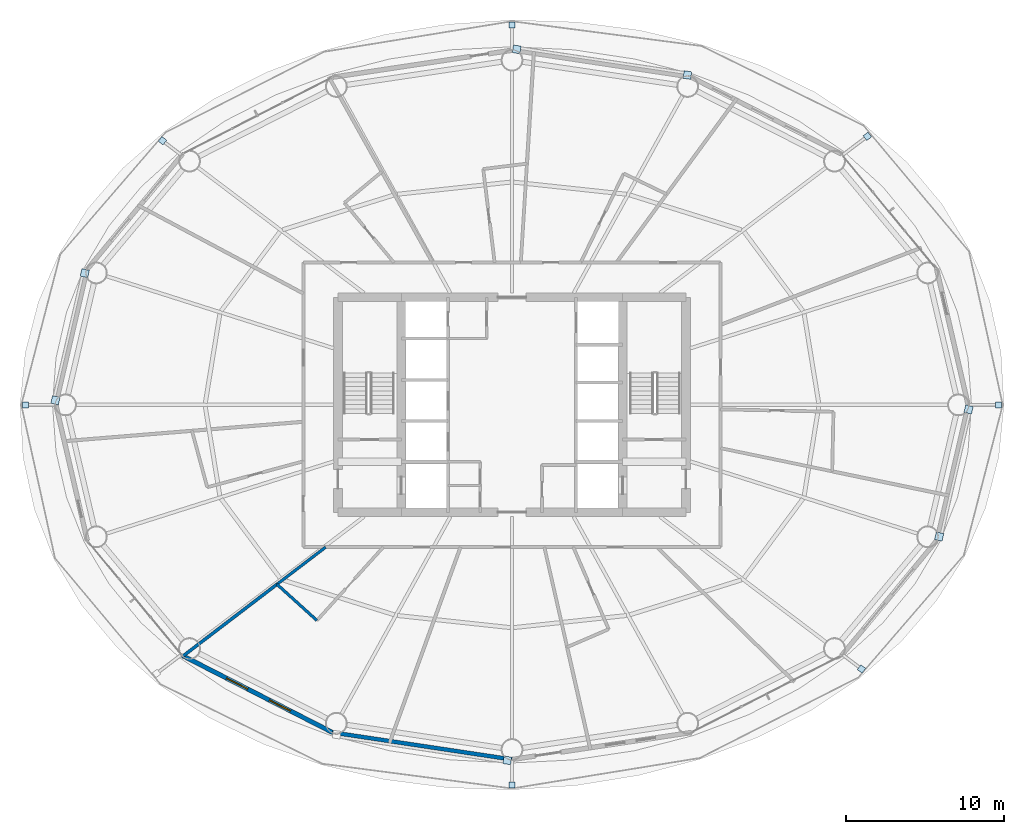
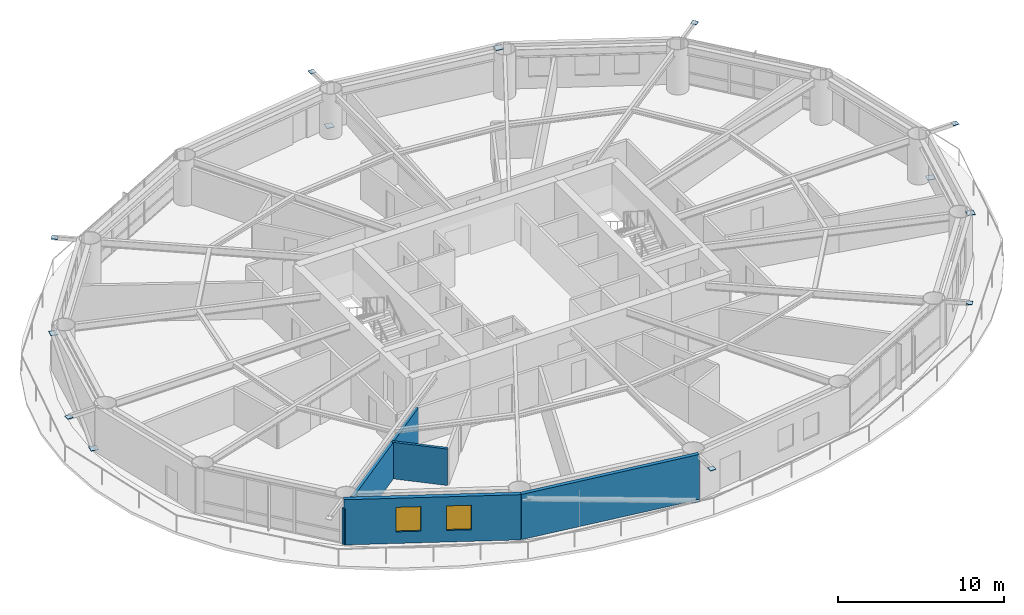
# One storey, part 17 of 24: 14 plates, 5 walls, 2 windows, 2 openings.
"""IFC4 building model written with IfcOpenShell, lengths in metres."""

from ifc_helpers import new_model, si_unit, direction, frame, frame_2d, origin, origin_2d, place, context, subcontext, project, spatial, rectangle, extrude, material, layer, layer_set, type_object, element, fill, save


model = new_model("IFC4")

# Units and contexts
model_context = context("Model", 3, precision=1e-05, world=origin(), true_north=direction((0.0, 1.0)))
body_context = subcontext(model_context, "Body", "Model", "MODEL_VIEW")
ifc_project = project(units=[si_unit("LENGTHUNIT", "METRE"), si_unit("AREAUNIT", "SQUARE_METRE"), si_unit("VOLUMEUNIT", "CUBIC_METRE"), si_unit("PLANEANGLEUNIT", "RADIAN"), si_unit("MASSUNIT", "GRAM", prefix="KILO")], contexts=[model_context])

# Site, building, storey
site_placement = place(None, origin())
site = spatial("IfcSite", under=ifc_project, at=site_placement, CompositionType="ELEMENT")
building_placement = place(site_placement, origin())
building = spatial("IfcBuilding", under=site, at=building_placement, Name="Sarneth Arch Tower", CompositionType="ELEMENT")
storey_placement = place(building_placement, frame((0.0, 0.0, 130.800048828125)))
storey = spatial("IfcBuildingStorey", under=building, at=storey_placement, Name="L33", CompositionType="ELEMENT", Elevation=130.800048828125)

# Plates
ifc_material_1 = material(Name="Steel S355", Category="steel")
ifc_layer_1 = layer(ifc_material_1, 0.035888671875)
ifc_layer_set_1 = layer_set([ifc_layer_1], Name="Steel S355")
plate_type = type_object("IfcPlateType", Name="PLT-GUSSET-30", PredefinedType="SHEET", material=ifc_layer_set_1)
for number, where, z_axis, x_axis, name in (
    (1, (78.75732421875, 42.0, 3.14208984375), (0.0, 0.0, 1.0), (1.0, 0.0, 0.0), "Steel end cap plate GP-1"),
    (2, (70.478515625, 58.987548828125, 3.14208984375), (0.0, 0.0, 1.0), (0.797794439539, 0.602929541689, 0.0), "Steel end cap plate GP-1"),
):
    element("IfcPlate", number, at=place(storey_placement, frame(where, z_axis=z_axis, x_axis=x_axis)), inside=storey, type_object=plate_type, Name=name, PredefinedType="SHEET", context=body_context, shape_type="SweptSolid", body=[
        extrude(rectangle(XDim=0.3798828125, YDim=0.3798828125, at=origin_2d()), origin(), (0.0, 0.0, 1.0), 0.035888671875),
    ])
for number, where, z_axis, x_axis, name in (
    (3, (48.296630859375, 64.4853515625, 0.001953125), (0.0, 0.0, 1.0), (-0.988860535448, 0.148845024885, 0.0), "Steel end cap plate GP-1"),
    (4, (59.0927734375, 62.859619140625, 2.935546875), (0.0, 0.0, 1.0), (-0.988860535448, 0.148845024885, 0.0), "Steel end cap plate GP-1"),
):
    element("IfcPlate", number, at=place(storey_placement, frame(where, z_axis=z_axis, x_axis=x_axis)), inside=storey, type_object=plate_type, Name=name, PredefinedType="SHEET", context=body_context, shape_type="SweptSolid", body=[
        extrude(rectangle(XDim=0.486083984375, YDim=0.486083984375, at=origin_2d()), origin(), (0.0, 0.0, 1.0), 0.035888671875),
    ])
for number, where, z_axis, x_axis, name in (
    (5, (48.0, 66.029296875, 3.14208984375), (0.0, 0.0, 1.0), (0.0, 1.0, 0.0), "Steel end cap plate GP-1"),
    (6, (25.8935546875, 58.706298828125, 3.14208984375), (0.0, 0.0, 1.0), (-0.797794439539, 0.602929541689, 0.0), "Steel end cap plate GP-1"),
):
    element("IfcPlate", number, at=place(storey_placement, frame(where, z_axis=z_axis, x_axis=x_axis)), inside=storey, type_object=plate_type, Name=name, PredefinedType="SHEET", context=body_context, shape_type="SweptSolid", body=[
        extrude(rectangle(XDim=0.3798828125, YDim=0.3798828125, at=origin_2d()), origin(), (0.0, 0.0, 1.0), 0.035888671875),
    ])
for number, where, z_axis, x_axis, name in (
    (7, (19.121337890625, 42.292236328125, 0.001953125), (0.0, 0.0, 1.0), (-0.225291159947, -0.974291482694, 0.0), "Steel end cap plate GP-1"),
    (8, (20.98046875, 50.32958984375, 2.935546875), (0.0, 0.0, 1.0), (-0.225291159947, -0.974291482694, 0.0), "Steel end cap plate GP-1"),
):
    element("IfcPlate", number, at=place(storey_placement, frame(where, z_axis=z_axis, x_axis=x_axis)), inside=storey, type_object=plate_type, Name=name, PredefinedType="SHEET", context=body_context, shape_type="SweptSolid", body=[
        extrude(rectangle(XDim=0.486083984375, YDim=0.486083984375, at=origin_2d()), origin(), (0.0, 0.0, 1.0), 0.035888671875),
    ])
plate_1_placement = place(storey_placement, frame((17.24267578125, 42.0, 3.14208984375), z_axis=(0.0, 0.0, 1.0), x_axis=(-1.0, 0.0, 0.0)))
element("IfcPlate", 9, at=plate_1_placement, inside=storey, type_object=plate_type, Name="Steel end cap plate GP-1", PredefinedType="SHEET", context=body_context, shape_type="SweptSolid", body=[
    extrude(rectangle(XDim=0.3798828125, YDim=0.3798828125, at=origin_2d()), origin(), (0.0, 0.0, 1.0), 0.035888671875),
])
plate_2_placement = place(storey_placement, frame((47.703369140625, 19.5146484375, 0.001953125), z_axis=(0.0, 0.0, 1.0), x_axis=(0.988860535448, -0.148845024885, 0.0)))
element("IfcPlate", 10, at=plate_2_placement, inside=storey, type_object=plate_type, Name="Steel end cap plate GP-1", PredefinedType="SHEET", context=body_context, shape_type="SweptSolid", body=[
    extrude(rectangle(XDim=0.486083984375, YDim=0.486083984375, at=origin_2d()), origin(), (0.0, 0.0, 1.0), 0.035888671875),
])
for number, where, z_axis, x_axis, name in (
    (11, (48.0, 17.970703125, 3.14208984375), (0.0, 0.0, 1.0), (0.0, -1.0, 0.0), "Steel end cap plate GP-1"),
    (12, (70.1064453125, 25.293701171875, 3.14208984375), (0.0, 0.0, 1.0), (0.797794439539, -0.602929541689, 0.0), "Steel end cap plate GP-1"),
):
    element("IfcPlate", number, at=place(storey_placement, frame(where, z_axis=z_axis, x_axis=x_axis)), inside=storey, type_object=plate_type, Name=name, PredefinedType="SHEET", context=body_context, shape_type="SweptSolid", body=[
        extrude(rectangle(XDim=0.3798828125, YDim=0.3798828125, at=origin_2d()), origin(), (0.0, 0.0, 1.0), 0.035888671875),
    ])
for number, where, z_axis, x_axis, name in (
    (13, (76.878662109375, 41.707763671875, 0.001953125), (0.0, 0.0, 1.0), (0.225291159947, 0.974291482694, 0.0), "Steel end cap plate GP-1"),
    (14, (75.01953125, 33.67041015625, 2.935546875), (0.0, 0.0, 1.0), (0.225291159947, 0.974291482694, 0.0), "Steel end cap plate GP-1"),
):
    element("IfcPlate", number, at=place(storey_placement, frame(where, z_axis=z_axis, x_axis=x_axis)), inside=storey, type_object=plate_type, Name=name, PredefinedType="SHEET", context=body_context, shape_type="SweptSolid", body=[
        extrude(rectangle(XDim=0.486083984375, YDim=0.486083984375, at=origin_2d()), origin(), (0.0, 0.0, 1.0), 0.035888671875),
    ])

# Wall
ifc_material_2 = material(Name="Extruded terracotta rainscreen on Concrete C40/50 backing", Category="masonry")
ifc_layer_2 = layer(ifc_material_2, 0.25)
ifc_layer_set_2 = layer_set([ifc_layer_2], Name="Extruded terracotta rainscreen on Concrete C40/50 backing")
wall_type_1 = type_object("IfcWallType", Name="WALL-EXT-SPAND-250", PredefinedType="SOLIDWALL", material=ifc_layer_set_2)
wall_1_placement = place(storey_placement, frame((36.648681640625, 21.27734375, 0.0), z_axis=(0.0, 0.0, 1.0), x_axis=(0.988877774656, -0.148730450117, 0.0)))
element("IfcWall", 15, at=wall_1_placement, inside=storey, type_object=wall_type_1, Name="L33 Terracotta perimeter wall 12", PredefinedType="SOLIDWALL", context=body_context, shape_type="SweptSolid", body=[
    extrude(rectangle(XDim=11.47900390625, YDim=0.25, at=frame_2d((5.739501953125, 0.0))), origin(), (0.0, 0.0, 1.0), 3.320068359375),
])

# Wall, openings, windows
ifc_material_3 = material(Name="Extruded terracotta rainscreen on Concrete C40/50 backing", Category="masonry")
ifc_layer_3 = layer(ifc_material_3, 0.280029296875)
ifc_layer_set_3 = layer_set([ifc_layer_3], Name="Extruded terracotta rainscreen on Concrete C40/50 backing")
wall_type_2 = type_object("IfcWallType", Name="WALL-EXT-TERRA-280", PredefinedType="SOLIDWALL", material=ifc_layer_set_3)
wall_2_placement = place(storey_placement, frame((27.159912109375, 26.1396484375, 0.0), z_axis=(0.0, 0.0, 1.0), x_axis=(0.889959505023, -0.45603955905, 0.0)))
wall_2 = element("IfcWall", 16, at=wall_2_placement, inside=storey, type_object=wall_type_2, Name="L33 Terracotta perimeter wall 11", PredefinedType="SOLIDWALL", context=body_context, shape_type="SweptSolid", body=[
    extrude(rectangle(XDim=10.662109375, YDim=0.280029296875, at=frame_2d((5.3310546875, 0.0))), origin(), (0.0, 0.0, 1.0), 3.320068359375),
])
opening_1_placement = place(wall_2_placement, frame((3.130615234375, 0.0, 0.85009765625)))
opening_1 = element("IfcOpeningElement", 17, at=opening_1_placement, cuts=wall_2, Name="Opening W-07", PredefinedType="OPENING", context=body_context, shape_type="SweptSolid", body=[
    extrude(rectangle(XDim=1.5, YDim=1.800048828125, at=frame_2d((0.75, 0.89990234375))), frame((0.0, 0.14990234375, 0.0), z_axis=(0.0, -1.0, 0.0), x_axis=(1.0, 0.0, 0.0)), (0.0, 0.0, 1.0), 0.300048828125),
])
opening_2_placement = place(wall_2_placement, frame((6.1708984375, 0.0, 0.85009765625)))
opening_2 = element("IfcOpeningElement", 18, at=opening_2_placement, cuts=wall_2, Name="Opening W-07", PredefinedType="OPENING", context=body_context, shape_type="SweptSolid", body=[
    extrude(rectangle(XDim=1.5, YDim=1.800048828125, at=frame_2d((0.75, 0.89990234375))), frame((0.0, 0.14990234375, 0.0), z_axis=(0.0, -1.0, 0.0), x_axis=(1.0, 0.0, 0.0)), (0.0, 0.0, 1.0), 0.300048828125),
])
ifc_material_4 = material(Name="Thermally broken Aluminium 6063-T6 and low-e laminated IGU", Category="aluminium")
window_type = type_object("IfcWindowType", Name="WIN-TWR-1500x1800", PartitioningType="SINGLE_PANEL", PredefinedType="WINDOW", material=ifc_material_4)
window_1_placement = place(opening_1_placement, origin())
window_1 = element("IfcWindow", 19, at=window_1_placement, inside=storey, type_object=window_type, Name="L33 Exterior window 11A", OverallHeight=1.800048828125, OverallWidth=1.5, PartitioningType="SINGLE_PANEL", PredefinedType="WINDOW", context=body_context, shape_type="SweptSolid", body=[
    extrude(rectangle(XDim=1.5, YDim=1.800048828125, at=frame_2d((0.75, 0.89990234375))), frame((0.0, 0.030029296875, 0.0), z_axis=(0.0, -1.0, 0.0), x_axis=(1.0, 0.0, 0.0)), (0.0, 0.0, 1.0), 0.06005859375),
])
fill(opening_1, window_1)
window_2_placement = place(opening_2_placement, origin())
window_2 = element("IfcWindow", 20, at=window_2_placement, inside=storey, type_object=window_type, Name="L33 Exterior window 11B", OverallHeight=1.800048828125, OverallWidth=1.5, PartitioningType="SINGLE_PANEL", PredefinedType="WINDOW", context=body_context, shape_type="SweptSolid", body=[
    extrude(rectangle(XDim=1.5, YDim=1.800048828125, at=frame_2d((0.75, 0.89990234375))), frame((0.0, 0.030029296875, 0.0), z_axis=(0.0, -1.0, 0.0), x_axis=(1.0, 0.0, 0.0)), (0.0, 0.0, 1.0), 0.06005859375),
])
fill(opening_2, window_2)

# Walls
ifc_material_5 = material(Name="Moisture-resistant plumbing chase wall", Category="gypsum")
ifc_layer_4 = layer(ifc_material_5, 0.179931640625)
ifc_layer_set_4 = layer_set([ifc_layer_4], Name="Moisture-resistant plumbing chase wall")
wall_type_3 = type_object("IfcWallType", Name="WALL-PLUMB-180", PredefinedType="PLUMBINGWALL", material=ifc_layer_set_4)
wall_3_placement = place(storey_placement, frame((33.134521484375, 30.6494140625, 0.0), z_axis=(0.0, 0.0, 1.0), x_axis=(0.794788820215, 0.606886094141, 0.0)))
element("IfcWall", 21, at=wall_3_placement, inside=storey, type_object=wall_type_3, Name="L33 Interior partition W-L33-TP-042", PredefinedType="PLUMBINGWALL", context=body_context, shape_type="SweptSolid", body=[
    extrude(rectangle(XDim=3.873291015625, YDim=0.179931640625, at=frame_2d((1.9365234375, 0.0))), origin(), (0.0, 0.0, 1.0), 2.679931640625),
])
wall_4_placement = place(storey_placement, frame((35.662109375, 28.36279296875, 0.0), z_axis=(0.0, 0.0, 1.0), x_axis=(-0.741571413778, 0.670873936196, 0.0)))
element("IfcWall", 22, at=wall_4_placement, inside=storey, type_object=wall_type_3, Name="L33 Interior partition W-L33-TP-044", PredefinedType="PLUMBINGWALL", context=body_context, shape_type="SweptSolid", body=[
    extrude(rectangle(XDim=3.408447265625, YDim=0.179931640625, at=frame_2d((1.7041015625, 0.0))), origin(), (0.0, 0.0, 1.0), 2.679931640625),
])
ifc_material_6 = material(Name="Double steel-stud acoustic drywall", Category="steel")
ifc_layer_5 = layer(ifc_material_6, 0.199951171875)
ifc_layer_set_5 = layer_set([ifc_layer_5], Name="Double steel-stud acoustic drywall")
wall_type_4 = type_object("IfcWallType", Name="WALL-UNIT-200", PredefinedType="PARTITIONING", material=ifc_layer_set_5)
wall_5_placement = place(storey_placement, frame((27.10546875, 26.0458984375, 0.0), z_axis=(0.0, 0.0, 1.0), x_axis=(0.794798861724, 0.606872943376, 0.0)))
element("IfcWall", 23, at=wall_5_placement, inside=storey, type_object=wall_type_4, Name="L33 Interior partition W-L33-TP-041", PredefinedType="PARTITIONING", context=body_context, shape_type="SweptSolid", body=[
    extrude(rectangle(XDim=7.585693359375, YDim=0.199951171875, at=frame_2d((3.79296875, 0.0))), origin(), (0.0, 0.0, 1.0), 2.679931640625),
])

save(model, "model.ifc")
